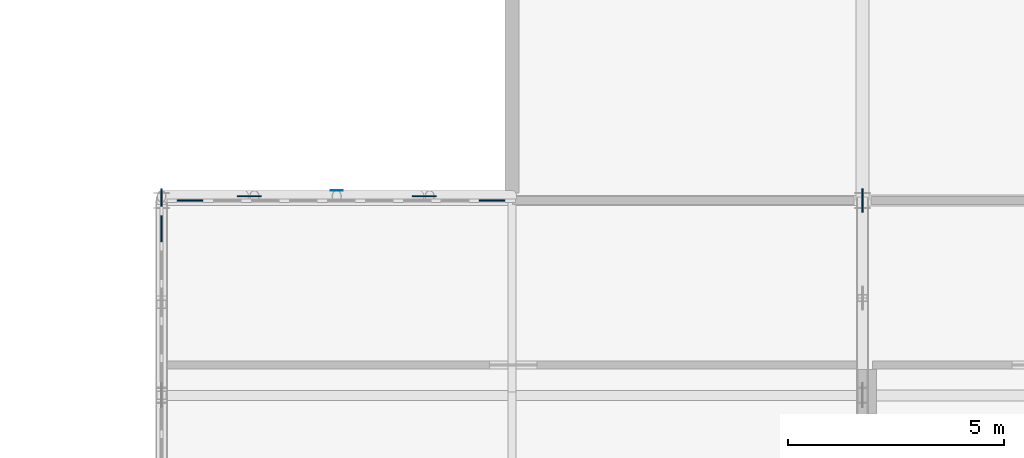
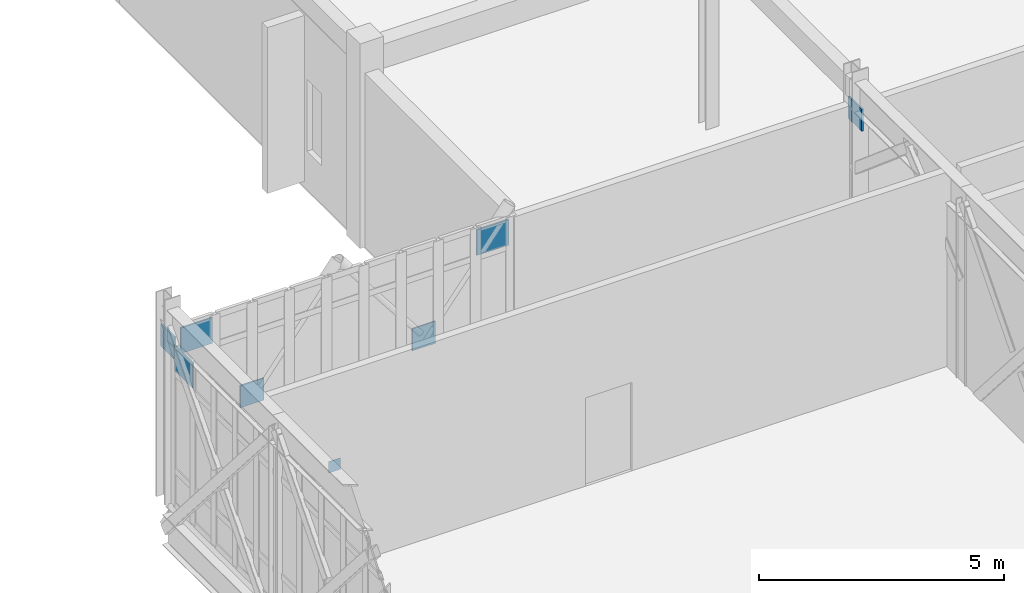
# One storey, part 86 of 107: 8 plates, 2 elements without a shape of their own.
"""IFC4 building model written with IfcOpenShell, lengths in metres."""

from ifc_helpers import new_model, si_unit, direction, frame, origin, origin_2d, place, context, subcontext, project, spatial, rectangle, extrude, material, layer, layer_set, type_object, element, aggregate, save


model = new_model("IFC4")

# Units and contexts
model_context = context("Model", 3, precision=1e-05, world=origin(), true_north=direction((0.0, 1.0)))
body_context = subcontext(model_context, "Body", "Model", "MODEL_VIEW")
ifc_project = project(units=[si_unit("LENGTHUNIT", "METRE"), si_unit("AREAUNIT", "SQUARE_METRE"), si_unit("VOLUMEUNIT", "CUBIC_METRE"), si_unit("PLANEANGLEUNIT", "RADIAN"), si_unit("MASSUNIT", "GRAM", prefix="KILO")], contexts=[model_context])

# Site, building, storey
site_placement = place(None, origin())
site = spatial("IfcSite", under=ifc_project, at=site_placement, CompositionType="ELEMENT")
building_placement = place(site_placement, origin())
building = spatial("IfcBuilding", under=site, at=building_placement, Name="Tarnveldt Square Police Headquarters", CompositionType="ELEMENT")
storey_placement = place(building_placement, frame((0.0, 0.0, 14.699951171875)))
storey = spatial("IfcBuildingStorey", under=building, at=storey_placement, Name="L03", CompositionType="ELEMENT", Elevation=14.699951171875)

# Curtain wall, plates
ifc_material_1 = material(Name="UL 752 Level III laminated ballistic vision glass", Category="glass")
curtain_wall_type_1 = type_object("IfcCurtainWallType", Name="CW-BL-790x422", PredefinedType="USERDEFINED", material=ifc_material_1)
curtain_wall_1_placement = place(storey_placement, origin())
curtain_wall_1 = element("IfcCurtainWall", 1, at=curtain_wall_1_placement, inside=storey, type_object=curtain_wall_type_1, Name="L03 Curtain Wall CW-L03-030", ObjectType="BALLISTIC CURTAIN WALL", PredefinedType="USERDEFINED")
ifc_layer_1 = layer(ifc_material_1, 0.0380859375)
ifc_layer_set_1 = layer_set([ifc_layer_1], Name="UL 752 Level III laminated ballistic vision glass")
plate_type_1 = type_object("IfcPlateType", Name="CWP-BAL-38", PredefinedType="CURTAIN_PANEL", material=ifc_layer_set_1)
plate_1_placement = place(storey_placement, frame((8.761962890625, 34.0, 3.5078125), z_axis=(0.0, 0.0, 1.0), x_axis=(1.0, 0.0, 0.0)))
plate_1 = element("IfcPlate", 2, at=plate_1_placement, type_object=plate_type_1, Name="CW-BL14 panel 1.3", PredefinedType="CURTAIN_PANEL", context=body_context, shape_type="SweptSolid", body=[
    extrude(rectangle(XDim=0.75, YDim=0.0380859375, at=origin_2d()), origin(), (0.0, 0.0, 1.0), 0.637451171875),
])
plate_2_placement = place(storey_placement, frame((15.739990234375, 34.0, 3.5078125), z_axis=(0.0, 0.0, 1.0), x_axis=(1.0, 0.0, 0.0)))
plate_2 = element("IfcPlate", 3, at=plate_2_placement, type_object=plate_type_1, Name="CW-BL14 panel 9.3", PredefinedType="CURTAIN_PANEL", context=body_context, shape_type="SweptSolid", body=[
    extrude(rectangle(XDim=0.75, YDim=0.0380859375, at=origin_2d()), origin(), (0.0, 0.0, 1.0), 0.637451171875),
])
aggregate(curtain_wall_1, [plate_1, plate_2])

# Curtain wall, plate
ifc_material_2 = material(Name="Triple-glazed low-e laminated vision glass", Category="glass")
curtain_wall_type_2 = type_object("IfcCurtainWallType", Name="CW-LT-430x407", PredefinedType="USERDEFINED", material=ifc_material_2)
curtain_wall_2_placement = place(storey_placement, origin())
curtain_wall_2 = element("IfcCurtainWall", 4, at=curtain_wall_2_placement, inside=storey, type_object=curtain_wall_type_2, Name="L03 Curtain Wall CW-L03-036", ObjectType="GLAZED CURTAIN WALL", PredefinedType="USERDEFINED")
ifc_layer_2 = layer(ifc_material_2, 0.028076171875)
ifc_layer_set_2 = layer_set([ifc_layer_2], Name="Triple-glazed low-e laminated vision glass")
plate_type_2 = type_object("IfcPlateType", Name="CWP-VIS-28", PredefinedType="CURTAIN_PANEL", material=ifc_layer_set_2)
plate_3_placement = place(storey_placement, frame((8.10009765625, 33.349365234375, 3.353515625), z_axis=(0.0, 0.0, 1.0), x_axis=(0.0, 1.0, 0.0)))
plate_3 = element("IfcPlate", 5, at=plate_3_placement, type_object=plate_type_2, Name="CW-LT15 panel 5.3", PredefinedType="CURTAIN_PANEL", context=body_context, shape_type="SweptSolid", body=[
    extrude(rectangle(XDim=0.7470703125, YDim=0.028076171875, at=origin_2d()), origin(), (0.0, 0.0, 1.0), 0.637451171875),
])
aggregate(curtain_wall_2, [plate_3])

# Plates
ifc_material_3 = material(Name="Steel 350W", Category="steel")
ifc_layer_3 = layer(ifc_material_3, 0.011962890625)
ifc_layer_set_3 = layer_set([ifc_layer_3], Name="Steel 350W")
plate_type_3 = type_object("IfcPlateType", Name="PLT-CAP-12", PredefinedType="USERDEFINED", material=ifc_layer_set_3)
plate_4_placement = place(storey_placement, frame((12.14990234375, 34.22998046875, -0.8828125), z_axis=(0.0, 0.0, 1.0), x_axis=(1.0, 0.0, 0.0)))
element("IfcPlate", 6, at=plate_4_placement, inside=storey, type_object=plate_type_3, Name="Node KN-LT1 HSS End Cap Plate N-L03-1", ObjectType="END CAP PLATE", PredefinedType="USERDEFINED", context=body_context, shape_type="SweptSolid", body=[
    extrude(rectangle(XDim=0.280029296875, YDim=0.011962890625, at=origin_2d()), origin(), (0.0, 0.0, 1.0), 0.280029296875),
])
ifc_layer_4 = layer(ifc_material_3, 0.031982421875)
ifc_layer_set_4 = layer_set([ifc_layer_4], Name="Steel 350W")
plate_type_4 = type_object("IfcPlateType", Name="PLT-GUS-32", PredefinedType="SHEET", material=ifc_layer_set_4)
for number, where, z_axis, x_axis, name in (
    (7, (10.125, 34.10009765625, 1.58203125), (0.0, 0.0, 1.0), (1.0, 0.0, 0.0), "Command Lantern N Lattice Crossing Gusset Plate 1.1"),
    (8, (14.175048828125, 34.10009765625, 1.58203125), (0.0, 0.0, 1.0), (1.0, 0.0, 0.0), "Command Lantern N Lattice Crossing Gusset Plate 1.2"),
):
    element("IfcPlate", number, at=place(storey_placement, frame(where, z_axis=z_axis, x_axis=x_axis)), inside=storey, type_object=plate_type_4, Name=name, PredefinedType="SHEET", context=body_context, shape_type="SweptSolid", body=[
        extrude(rectangle(XDim=0.550048828125, YDim=0.031982421875, at=origin_2d()), origin(), (0.0, 0.0, 1.0), 0.550048828125),
    ])
ifc_layer_5 = layer(ifc_material_3, 0.0419921875)
ifc_layer_set_5 = layer_set([ifc_layer_5], Name="Steel 350W")
plate_type_5 = type_object("IfcPlateType", Name="PLT-GUS-42", PredefinedType="SHEET", material=ifc_layer_set_5)
for number, where, z_axis, x_axis, name in (
    (9, (8.10009765625, 34.0, 3.6318359375), (0.0, 0.0, 1.0), (1.0, 0.0, 0.0), "Node KN-CT1.1 Gusset Plate"),
    (10, (24.300048828125, 34.0, 3.6318359375), (0.0, 0.0, 1.0), (1.0, 0.0, 0.0), "Node KN-CT2.1 Gusset Plate"),
):
    element("IfcPlate", number, at=place(storey_placement, frame(where, z_axis=z_axis, x_axis=x_axis)), inside=storey, type_object=plate_type_5, Name=name, PredefinedType="SHEET", context=body_context, shape_type="SweptSolid", body=[
        extrude(rectangle(XDim=0.0419921875, YDim=0.550048828125, at=origin_2d()), origin(), (0.0, 0.0, 1.0), 0.550048828125),
    ])

save(model, "model.ifc")
